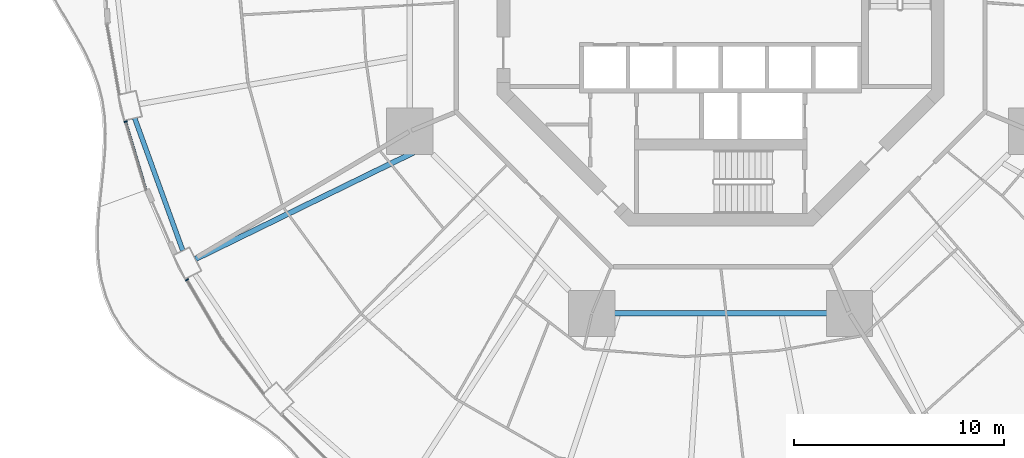
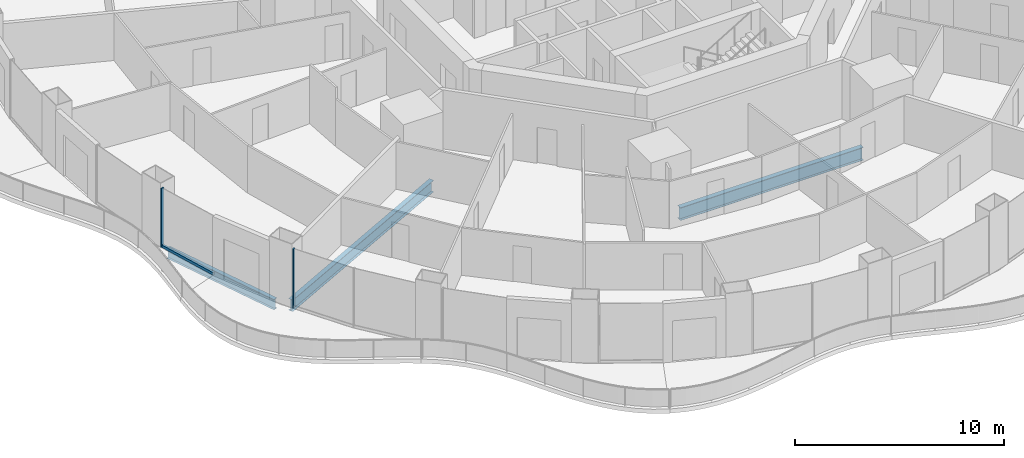
# One storey, part 3 of 22: 3 beams, 3 members, 2 elements without a shape of their own.
"""IFC4 building model written with IfcOpenShell, lengths in metres."""

from ifc_helpers import new_model, si_unit, direction, frame, origin, origin_2d, place, context, subcontext, project, spatial, rectangle, i_section, extrude, material, layer, layer_set, material_profile, profile_set, type_object, element, aggregate, save


model = new_model("IFC4")

# Units and contexts
model_context = context("Model", 3, precision=1e-05, world=origin(), true_north=direction((0.0, 1.0)))
body_context = subcontext(model_context, "Body", "Model", "MODEL_VIEW")
ifc_project = project(units=[si_unit("LENGTHUNIT", "METRE"), si_unit("AREAUNIT", "SQUARE_METRE"), si_unit("VOLUMEUNIT", "CUBIC_METRE"), si_unit("PLANEANGLEUNIT", "RADIAN"), si_unit("MASSUNIT", "GRAM", prefix="KILO")], contexts=[model_context])

# Site, building, storey
site_placement = place(None, origin())
site = spatial("IfcSite", under=ifc_project, at=site_placement, CompositionType="ELEMENT")
building_placement = place(site_placement, origin())
building = spatial("IfcBuilding", under=site, at=building_placement, Name="Nagisa Residences", CompositionType="ELEMENT")
storey_placement = place(building_placement, frame((0.0, 0.0, 88.10009765625)))
storey = spatial("IfcBuildingStorey", under=building, at=storey_placement, Name="L21", CompositionType="ELEMENT", Elevation=88.10009765625)

# Curtain wall, member
ifc_material_1 = material(Name="Concrete-coloured aluminium curtain wall system", Category="concrete")
ifc_layer = layer(ifc_material_1, 0.159912109375)
ifc_layer_set = layer_set([ifc_layer], Name="CW1 CURTAIN WALL")
curtain_wall_type = type_object("IfcCurtainWallType", Name="CW1 CURTAIN WALL", PredefinedType="NOTDEFINED", material=ifc_layer_set)
curtain_wall_1_placement = place(storey_placement, origin())
curtain_wall_1 = element("IfcCurtainWall", 1, at=curtain_wall_1_placement, inside=storey, type_object=curtain_wall_type, Name="cw:CW1:L21:26", PredefinedType="NOTDEFINED")
ifc_material_2 = material(Name="Concrete-coloured aluminium", Category="concrete")
ifc_material_profile_1 = material_profile(ifc_material_2, rectangle(XDim=0.159912109375, YDim=0.06005859375, at=origin_2d()), Name="CW1 MULLION 160x60")
ifc_profile_set_1 = profile_set([ifc_material_profile_1], Name="Concrete-coloured aluminium")
member_type_1 = type_object("IfcMemberType", Name="CW1 MULLION 160x60", PredefinedType="MULLION", material=ifc_profile_set_1)
member_1_placement = place(storey_placement, frame((-28.2802734375, -5.667724609375, 0.0), z_axis=(0.0, 0.0, 1.0), x_axis=(0.958271310082, 0.285860274038, 0.0)))
member_1 = element("IfcMember", 2, at=member_1_placement, type_object=member_type_1, Name="CW1 mullion", PredefinedType="MULLION", context=body_context, shape_type="SweptSolid", body=[
    extrude(rectangle(XDim=0.159912109375, YDim=0.06005859375, at=origin_2d()), origin(), (0.0, 0.0, 1.0), 3.43994140625),
])

curtain_wall_2_placement = place(storey_placement, origin())
curtain_wall_2 = element("IfcCurtainWall", 3, at=curtain_wall_2_placement, inside=storey, type_object=curtain_wall_type, Name="cw:CW1:L21:28", PredefinedType="NOTDEFINED")
member_2_placement = place(storey_placement, frame((-25.371337890625, -13.185791015625, 0.0), z_axis=(0.0, 0.0, 1.0), x_axis=(0.862328898214, 0.506348567002, 0.0)))
member_2 = element("IfcMember", 4, at=member_2_placement, type_object=member_type_1, Name="CW1 mullion", PredefinedType="MULLION", context=body_context, shape_type="SweptSolid", body=[
    extrude(rectangle(XDim=0.159912109375, YDim=0.06005859375, at=origin_2d()), origin(), (0.0, 0.0, 1.0), 3.43994140625),
])
aggregate(curtain_wall_2, [member_2])

# Member
ifc_material_3 = material(Name="Concrete-coloured aluminium", Category="concrete")
ifc_material_profile_2 = material_profile(ifc_material_3, rectangle(XDim=0.1201171875, YDim=0.14990234375, at=origin_2d()), Name="CW1 TRANSOM 120x150")
ifc_profile_set_2 = profile_set([ifc_material_profile_2], Name="Concrete-coloured aluminium")
member_type_2 = type_object("IfcMemberType", Name="CW1 TRANSOM 120x150", PredefinedType="USERDEFINED", material=ifc_profile_set_2)
member_3_placement = place(storey_placement, frame((-28.288818359375, -5.638916015625, 0.074951171875), z_axis=(0.285816610469, -0.958284334203, 0.0), x_axis=(0.958284334203, 0.285816610469, 0.0)))
member_3 = element("IfcMember", 5, at=member_3_placement, type_object=member_type_2, Name="CW1 transom", ObjectType="TRANSOM", PredefinedType="USERDEFINED", context=body_context, shape_type="SweptSolid", body=[
    extrude(rectangle(XDim=0.1201171875, YDim=0.14990234375, at=origin_2d()), origin(), (0.0, 0.0, 1.0), 3.423583984375),
])

aggregate(curtain_wall_1, [member_1, member_3])

# Beams
ifc_material_4 = material(Name="Steel ASTM A572 Gr 50", Category="steel")
ifc_material_profile_3 = material_profile(ifc_material_4, i_section(OverallWidth=0.264892578125, OverallDepth=0.7529296875, WebThickness=0.01318359375, FlangeThickness=0.01708984375, at=origin_2d()), Name="W760x147")
ifc_profile_set_3 = profile_set([ifc_material_profile_3], Name="Steel ASTM A572 Gr 50")
beam_type_1 = type_object("IfcBeamType", Name="Inner ring beam W760x147", PredefinedType="BEAM", material=ifc_profile_set_3)
beam_1_placement = place(storey_placement, frame((-5.04296875, -14.781982421875, -0.63671875), z_axis=(1.0, 0.0, 0.0), x_axis=(0.0, 1.0, 0.0)))
element("IfcBeam", 6, at=beam_1_placement, inside=storey, type_object=beam_type_1, Name="beam:L21:ib6", PredefinedType="BEAM", context=body_context, shape_type="SweptSolid", body=[
    extrude(i_section(OverallWidth=0.264892578125, OverallDepth=0.7529296875, WebThickness=0.01318359375, FlangeThickness=0.01708984375, at=origin_2d()), origin(), (0.0, 0.0, 1.0), 10.0859375),
])
ifc_material_5 = material(Name="Steel ASTM A572 Gr 50", Category="steel")
ifc_material_profile_4 = material_profile(ifc_material_5, i_section(OverallWidth=0.22802734375, OverallDepth=0.60302734375, WebThickness=0.010498046875, FlangeThickness=0.014892578125, at=origin_2d()), Name="W610x101")
ifc_profile_set_4 = profile_set([ifc_material_profile_4], Name="Steel ASTM A572 Gr 50")
beam_type_2 = type_object("IfcBeamType", Name="Perimeter ring beam W610x101", PredefinedType="BEAM", material=ifc_profile_set_4)
beam_2_placement = place(storey_placement, frame((-27.851806640625, -5.505859375, -0.5615234375), z_axis=(0.341365002286, -0.939930814057, 0.0), x_axis=(0.939930814057, 0.341365002286, 0.0)))
element("IfcBeam", 7, at=beam_2_placement, inside=storey, type_object=beam_type_2, Name="beam:L21:pb14", PredefinedType="BEAM", context=body_context, shape_type="SweptSolid", body=[
    extrude(i_section(OverallWidth=0.22802734375, OverallDepth=0.60302734375, WebThickness=0.010498046875, FlangeThickness=0.014892578125, at=origin_2d()), origin(), (0.0, 0.0, 1.0), 6.689208984375),
])
ifc_material_6 = material(Name="Steel ASTM A572 Gr 50", Category="steel")
ifc_material_profile_5 = material_profile(ifc_material_6, i_section(OverallWidth=0.2529296875, OverallDepth=0.677978515625, WebThickness=0.01171875, FlangeThickness=0.016357421875, at=origin_2d()), Name="W690x125")
ifc_profile_set_5 = profile_set([ifc_material_profile_5], Name="Steel ASTM A572 Gr 50")
beam_type_3 = type_object("IfcBeamType", Name="Radial beam W690x125", PredefinedType="BEAM", material=ifc_profile_set_5)
beam_3_placement = place(storey_placement, frame((-24.965087890625, -12.200927734375, -0.59912109375), z_axis=(0.898446773802, 0.439082446296, 0.0), x_axis=(-0.439082446296, 0.898446773802, 0.0)))
element("IfcBeam", 8, at=beam_3_placement, inside=storey, type_object=beam_type_3, Name="beam:L21:rb15", PredefinedType="BEAM", context=body_context, shape_type="SweptSolid", body=[
    extrude(i_section(OverallWidth=0.2529296875, OverallDepth=0.677978515625, WebThickness=0.01171875, FlangeThickness=0.016357421875, at=origin_2d()), origin(), (0.0, 0.0, 1.0), 12.037353515625),
])

save(model, "model.ifc")
